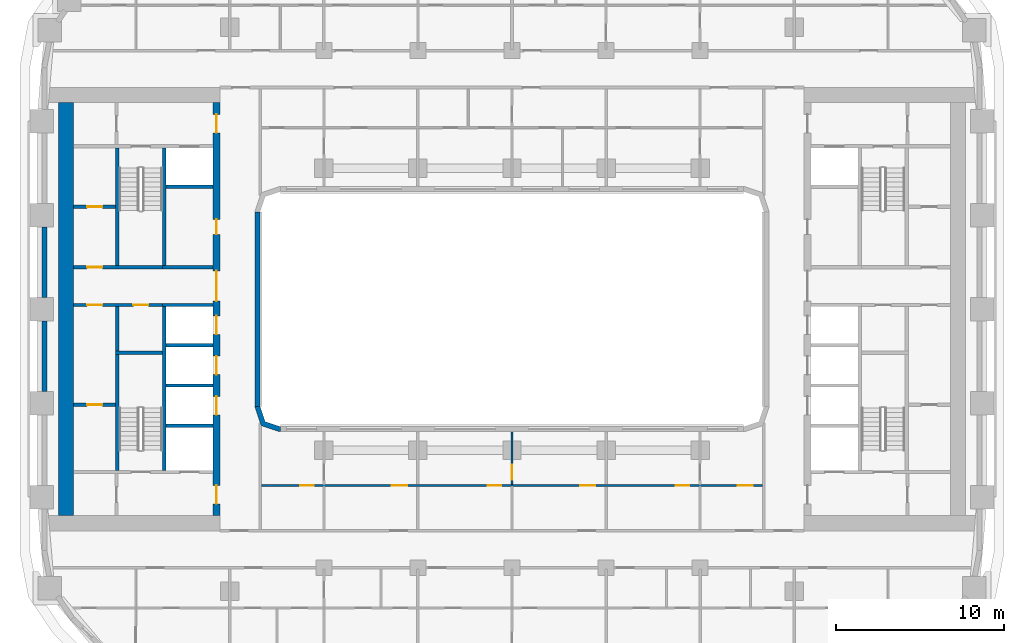
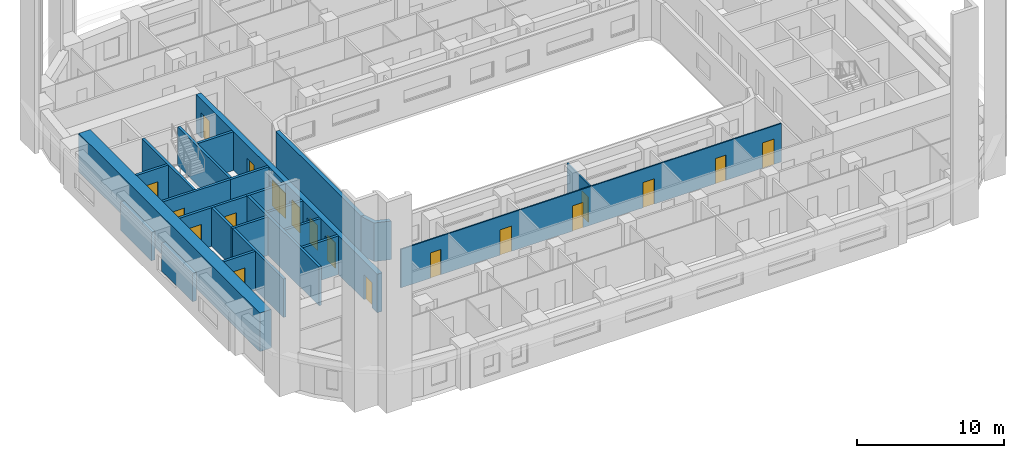
# One storey, part 4 of 22: 24 walls, 19 doors, 19 openings.
"""IFC4 building model written with IfcOpenShell, lengths in metres."""

from ifc_helpers import new_model, si_unit, direction, frame, frame_2d, origin, place, context, subcontext, project, spatial, polyline, rectangle, outline, extrude, material, layer, layer_set, type_object, element, fill, save


model = new_model("IFC4")

# Units and contexts
model_context = context("Model", 3, precision=1e-05, world=origin(), true_north=direction((0.0, 1.0)))
body_context = subcontext(model_context, "Body", "Model", "MODEL_VIEW")
ifc_project = project(units=[si_unit("LENGTHUNIT", "METRE"), si_unit("AREAUNIT", "SQUARE_METRE"), si_unit("VOLUMEUNIT", "CUBIC_METRE"), si_unit("PLANEANGLEUNIT", "RADIAN"), si_unit("MASSUNIT", "GRAM", prefix="KILO")], contexts=[model_context])

# Site, building, storey
site_placement = place(None, origin())
site = spatial("IfcSite", under=ifc_project, at=site_placement, CompositionType="ELEMENT")
building_placement = place(site_placement, origin())
building = spatial("IfcBuilding", under=site, at=building_placement, Name="Kiln Ring Residences", CompositionType="ELEMENT")
storey_placement = place(building_placement, frame((0.0, 0.0, 55.0)))
storey = spatial("IfcBuildingStorey", under=building, at=storey_placement, Name="L13", CompositionType="ELEMENT", Elevation=55.0)

# Wall
ifc_material_1 = material(Name="Gypsum board on steel studs", Category="steel")
ifc_layer_1 = layer(ifc_material_1, 0.199951171875)
ifc_layer_set_1 = layer_set([ifc_layer_1], Name="CORE-PARTITION-200")
wall_type_1 = type_object("IfcWallType", Name="CORE-PARTITION-200", PredefinedType="PARTITIONING", material=ifc_layer_set_1)
wall_1_placement = place(storey_placement, frame((-23.5, -2.5, 0.0), z_axis=(0.0, 0.0, 1.0), x_axis=(0.0, 1.0, 0.0)))
element("IfcWall", 1, at=wall_1_placement, inside=storey, type_object=wall_type_1, Name="Core partition west L13 1", PredefinedType="PARTITIONING", context=body_context, shape_type="SweptSolid", body=[
    extrude(rectangle(XDim=2.64990234375, YDim=0.199951171875, at=frame_2d((1.324951171875, 0.0))), origin(), (0.0, 0.0, 1.0), 3.199951171875),
])

# Wall, openings, doors
wall_2_placement = place(storey_placement, frame((-20.800048828125, 0.25, 0.0), z_axis=(0.0, 0.0, 1.0), x_axis=(-1.0, 0.0, 0.0)))
wall_2 = element("IfcWall", 2, at=wall_2_placement, inside=storey, type_object=wall_type_1, Name="Core partition west L13 2", PredefinedType="PARTITIONING", context=body_context, shape_type="SweptSolid", body=[
    extrude(rectangle(XDim=5.300048828125, YDim=0.199951171875, at=frame_2d((2.64990234375, 0.0))), origin(), (0.0, 0.0, 1.0), 3.199951171875),
])
opening_1_placement = place(wall_2_placement, frame((0.85009765625, 0.0, 0.0)))
opening_1 = element("IfcOpeningElement", 3, at=opening_1_placement, cuts=wall_2, Name="Opening L13-CW14", PredefinedType="OPENING", context=body_context, shape_type="SweptSolid", body=[
    extrude(rectangle(XDim=0.89990234375, YDim=2.10009765625, at=frame_2d((0.449951171875, 1.050048828125))), frame((0.0, 0.10986328125, 0.0), z_axis=(0.0, -1.0, 0.0), x_axis=(1.0, 0.0, 0.0)), (0.0, 0.0, 1.0), 0.219970703125),
])
opening_2_placement = place(wall_2_placement, frame((3.60009765625, 0.0, 0.0)))
opening_2 = element("IfcOpeningElement", 4, at=opening_2_placement, cuts=wall_2, Name="Opening L13-CW16", PredefinedType="OPENING", context=body_context, shape_type="SweptSolid", body=[
    extrude(rectangle(XDim=0.89990234375, YDim=2.10009765625, at=frame_2d((0.449951171875, 1.050048828125))), frame((0.0, 0.10986328125, 0.0), z_axis=(0.0, -1.0, 0.0), x_axis=(1.0, 0.0, 0.0)), (0.0, 0.0, 1.0), 0.219970703125),
])
ifc_material_2 = material(Name="Steel door leaf", Category="steel")
door_type_1 = type_object("IfcDoorType", Name="CORE-DOOR-ROOM", OperationType="SINGLE_SWING_LEFT", PredefinedType="DOOR", material=ifc_material_2)
door_1_placement = place(opening_1_placement, origin())
door_1 = element("IfcDoor", 5, at=door_1_placement, inside=storey, type_object=door_type_1, Name="Housekeeping store L13-CW14", OperationType="SINGLE_SWING_RIGHT", OverallHeight=2.10009765625, OverallWidth=0.89990234375, PredefinedType="DOOR", context=body_context, shape_type="SweptSolid", body=[
    extrude(rectangle(XDim=0.89990234375, YDim=2.10009765625, at=frame_2d((0.449951171875, 1.050048828125))), frame((0.0, 0.02490234375, 0.0), z_axis=(0.0, -1.0, 0.0), x_axis=(1.0, 0.0, 0.0)), (0.0, 0.0, 1.0), 0.050048828125),
])
fill(opening_1, door_1)
door_2_placement = place(opening_2_placement, origin())
door_2 = element("IfcDoor", 6, at=door_2_placement, inside=storey, type_object=door_type_1, Name="Battery room L13-CW16", OperationType="SINGLE_SWING_RIGHT", OverallHeight=2.10009765625, OverallWidth=0.89990234375, PredefinedType="DOOR", context=body_context, shape_type="SweptSolid", body=[
    extrude(rectangle(XDim=0.89990234375, YDim=2.10009765625, at=frame_2d((0.449951171875, 1.050048828125))), frame((0.0, 0.02490234375, 0.0), z_axis=(0.0, -1.0, 0.0), x_axis=(1.0, 0.0, 0.0)), (0.0, 0.0, 1.0), 0.050048828125),
])
fill(opening_2, door_2)

# Wall, opening, door
wall_3_placement = place(storey_placement, frame((-23.60009765625, -5.699951171875, 0.0), z_axis=(0.0, 0.0, 1.0), x_axis=(-1.0, 0.0, 0.0)))
wall_3 = element("IfcWall", 7, at=wall_3_placement, inside=storey, type_object=wall_type_1, Name="Core partition west L13 5", PredefinedType="PARTITIONING", context=body_context, shape_type="SweptSolid", body=[
    extrude(rectangle(XDim=2.5, YDim=0.199951171875, at=frame_2d((1.25, 0.0))), origin(), (0.0, 0.0, 1.0), 3.199951171875),
])
opening_3_placement = place(wall_3_placement, frame((0.800048828125, 0.0, 0.0)))
opening_3 = element("IfcOpeningElement", 8, at=opening_3_placement, cuts=wall_3, Name="Opening L13-CW15", PredefinedType="OPENING", context=body_context, shape_type="SweptSolid", body=[
    extrude(rectangle(XDim=0.89990234375, YDim=2.10009765625, at=frame_2d((0.449951171875, 1.050048828125))), frame((0.0, 0.10986328125, 0.0), z_axis=(0.0, -1.0, 0.0), x_axis=(1.0, 0.0, 0.0)), (0.0, 0.0, 1.0), 0.219970703125),
])
door_3_placement = place(opening_3_placement, origin())
door_3 = element("IfcDoor", 9, at=door_3_placement, inside=storey, type_object=door_type_1, Name="Battery room L13-CW15", OperationType="SINGLE_SWING_RIGHT", OverallHeight=2.10009765625, OverallWidth=0.89990234375, PredefinedType="DOOR", context=body_context, shape_type="SweptSolid", body=[
    extrude(rectangle(XDim=0.89990234375, YDim=2.10009765625, at=frame_2d((0.449951171875, 1.050048828125))), frame((0.0, 0.02490234375, 0.0), z_axis=(0.0, -1.0, 0.0), x_axis=(1.0, 0.0, 0.0)), (0.0, 0.0, 1.0), 0.050048828125),
])
fill(opening_3, door_3)

wall_4_placement = place(storey_placement, frame((-23.60009765625, 6.10009765625, 0.0), z_axis=(0.0, 0.0, 1.0), x_axis=(-1.0, 0.0, 0.0)))
wall_4 = element("IfcWall", 10, at=wall_4_placement, inside=storey, type_object=wall_type_1, Name="Core partition west L13 6", PredefinedType="PARTITIONING", context=body_context, shape_type="SweptSolid", body=[
    extrude(rectangle(XDim=2.5, YDim=0.199951171875, at=frame_2d((1.25, 0.0))), origin(), (0.0, 0.0, 1.0), 3.199951171875),
])
opening_4_placement = place(wall_4_placement, frame((0.800048828125, 0.0, 0.0)))
opening_4 = element("IfcOpeningElement", 11, at=opening_4_placement, cuts=wall_4, Name="Opening L13-CW17", PredefinedType="OPENING", context=body_context, shape_type="SweptSolid", body=[
    extrude(rectangle(XDim=0.89990234375, YDim=2.10009765625, at=frame_2d((0.449951171875, 1.050048828125))), frame((0.0, 0.10986328125, 0.0), z_axis=(0.0, -1.0, 0.0), x_axis=(1.0, 0.0, 0.0)), (0.0, 0.0, 1.0), 0.219970703125),
])
door_4_placement = place(opening_4_placement, origin())
door_4 = element("IfcDoor", 12, at=door_4_placement, inside=storey, type_object=door_type_1, Name="Electrical plant room L13-CW17", OperationType="SINGLE_SWING_RIGHT", OverallHeight=2.10009765625, OverallWidth=0.89990234375, PredefinedType="DOOR", context=body_context, shape_type="SweptSolid", body=[
    extrude(rectangle(XDim=0.89990234375, YDim=2.10009765625, at=frame_2d((0.449951171875, 1.050048828125))), frame((0.0, 0.02490234375, 0.0), z_axis=(0.0, -1.0, 0.0), x_axis=(1.0, 0.0, 0.0)), (0.0, 0.0, 1.0), 0.050048828125),
])
fill(opening_4, door_4)

# Walls
ifc_material_3 = material(Name="Gypsum shaft wall system")
ifc_layer_2 = layer(ifc_material_3, 0.199951171875)
ifc_layer_set_2 = layer_set([ifc_layer_2], Name="CORE-SHAFT-WALL-200")
wall_type_2 = type_object("IfcWallType", Name="CORE-SHAFT-WALL-200", PredefinedType="PARTITIONING", material=ifc_layer_set_2)
for number, where, z_axis, x_axis, name in (
    (13, (-17.800048828125, -6.949951171875, 0.0), (0.0, 0.0, 1.0), (-1.0, 0.0, 0.0), "Core partition west L13 7"),
    (14, (-17.800048828125, -4.550048828125, 0.0), (0.0, 0.0, 1.0), (-1.0, 0.0, 0.0), "Core partition west L13 8"),
    (15, (-17.800048828125, -2.14990234375, 0.0), (0.0, 0.0, 1.0), (-1.0, 0.0, 0.0), "Core partition west L13 9"),
):
    element("IfcWall", number, at=place(storey_placement, frame(where, z_axis=z_axis, x_axis=x_axis)), inside=storey, type_object=wall_type_2, Name=name, PredefinedType="PARTITIONING", context=body_context, shape_type="SweptSolid", body=[
        extrude(rectangle(XDim=2.800048828125, YDim=0.199951171875, at=frame_2d((1.39990234375, 0.0))), origin(), (0.0, 0.0, 1.0), 3.199951171875),
    ])
for number, where, z_axis, x_axis, name in (
    (16, (-17.800048828125, 0.25, 0.0), (0.0, 0.0, 1.0), (-1.0, 0.0, 0.0), "Core partition west L13 10"),
    (17, (-17.800048828125, 2.5, 0.0), (0.0, 0.0, 1.0), (-1.0, 0.0, 0.0), "Core partition west L13 11"),
):
    element("IfcWall", number, at=place(storey_placement, frame(where, z_axis=z_axis, x_axis=x_axis)), inside=storey, type_object=wall_type_2, Name=name, PredefinedType="PARTITIONING", context=body_context, shape_type="SweptSolid", body=[
        extrude(rectangle(XDim=3.0, YDim=0.199951171875, at=frame_2d((1.5, 0.0))), origin(), (0.0, 0.0, 1.0), 3.199951171875),
    ])
wall_5_placement = place(storey_placement, frame((-17.800048828125, 7.300048828125, 0.0), z_axis=(0.0, 0.0, 1.0), x_axis=(-1.0, 0.0, 0.0)))
element("IfcWall", 18, at=wall_5_placement, inside=storey, type_object=wall_type_2, Name="Core partition west L13 12", PredefinedType="PARTITIONING", context=body_context, shape_type="SweptSolid", body=[
    extrude(rectangle(XDim=2.800048828125, YDim=0.199951171875, at=frame_2d((1.39990234375, 0.0))), origin(), (0.0, 0.0, 1.0), 3.199951171875),
])
ifc_material_4 = material(Name="Concrete C40/50", Category="concrete")
ifc_layer_3 = layer(ifc_material_4, 0.199951171875)
ifc_layer_set_3 = layer_set([ifc_layer_3], Name="CORE-WALL-RC200")
wall_type_3 = type_object("IfcWallType", Name="CORE-WALL-RC200", PredefinedType="SHEAR", material=ifc_layer_set_3)
wall_6_placement = place(storey_placement, frame((-20.699951171875, 2.60009765625, 0.0), z_axis=(0.0, 0.0, 1.0), x_axis=(0.0, 1.0, 0.0)))
element("IfcWall", 19, at=wall_6_placement, inside=storey, type_object=wall_type_3, Name="Core wall west L13 1", PredefinedType="SHEAR", context=body_context, shape_type="SweptSolid", body=[
    extrude(rectangle(XDim=7.0, YDim=0.199951171875, at=frame_2d((3.5, 0.0))), origin(), (0.0, 0.0, 1.0), 3.199951171875),
])
wall_7_placement = place(storey_placement, frame((-20.699951171875, -9.60009765625, 0.0), z_axis=(0.0, 0.0, 1.0), x_axis=(0.0, 1.0, 0.0)))
element("IfcWall", 20, at=wall_7_placement, inside=storey, type_object=wall_type_3, Name="Core wall west L13 2", PredefinedType="SHEAR", context=body_context, shape_type="SweptSolid", body=[
    extrude(rectangle(XDim=9.75, YDim=0.199951171875, at=frame_2d((4.875, 0.0))), origin(), (0.0, 0.0, 1.0), 3.199951171875),
])

# Wall, opening, door
wall_8_placement = place(storey_placement, frame((-20.800048828125, 2.5, 0.0), z_axis=(0.0, 0.0, 1.0), x_axis=(-1.0, 0.0, 0.0)))
wall_8 = element("IfcWall", 21, at=wall_8_placement, inside=storey, type_object=wall_type_3, Name="Core wall west L13 3", PredefinedType="SHEAR", context=body_context, shape_type="SweptSolid", body=[
    extrude(rectangle(XDim=5.300048828125, YDim=0.199951171875, at=frame_2d((2.64990234375, 0.0))), origin(), (0.0, 0.0, 1.0), 3.199951171875),
])
opening_5_placement = place(wall_8_placement, frame((3.60009765625, 0.0, 0.0)))
opening_5 = element("IfcOpeningElement", 22, at=opening_5_placement, cuts=wall_8, Name="Opening L13-CW18", PredefinedType="OPENING", context=body_context, shape_type="SweptSolid", body=[
    extrude(rectangle(XDim=0.89990234375, YDim=2.10009765625, at=frame_2d((0.449951171875, 1.050048828125))), frame((0.0, 0.10986328125, 0.0), z_axis=(0.0, -1.0, 0.0), x_axis=(1.0, 0.0, 0.0)), (0.0, 0.0, 1.0), 0.219970703125),
])
door_5_placement = place(opening_5_placement, origin())
door_5 = element("IfcDoor", 23, at=door_5_placement, inside=storey, type_object=door_type_1, Name="Comms room L13-CW18", OperationType="SINGLE_SWING_LEFT", OverallHeight=2.10009765625, OverallWidth=0.89990234375, PredefinedType="DOOR", context=body_context, shape_type="SweptSolid", body=[
    extrude(rectangle(XDim=0.89990234375, YDim=2.10009765625, at=frame_2d((0.449951171875, 1.050048828125))), frame((0.0, 0.02490234375, 0.0), z_axis=(0.0, -1.0, 0.0), x_axis=(1.0, 0.0, 0.0)), (0.0, 0.0, 1.0), 0.050048828125),
])
fill(opening_5, door_5)

# Walls
wall_9_placement = place(storey_placement, frame((-23.5, 2.60009765625, 0.0), z_axis=(0.0, 0.0, 1.0), x_axis=(0.0, 1.0, 0.0)))
element("IfcWall", 24, at=wall_9_placement, inside=storey, type_object=wall_type_3, Name="Core wall west L13 10", PredefinedType="SHEAR", context=body_context, shape_type="SweptSolid", body=[
    extrude(rectangle(XDim=7.0, YDim=0.199951171875, at=frame_2d((3.5, 0.0))), origin(), (0.0, 0.0, 1.0), 3.199951171875),
])
wall_10_placement = place(storey_placement, frame((-23.5, -9.60009765625, 0.0), z_axis=(0.0, 0.0, 1.0), x_axis=(0.0, 1.0, 0.0)))
element("IfcWall", 25, at=wall_10_placement, inside=storey, type_object=wall_type_3, Name="Core wall west L13 11", PredefinedType="SHEAR", context=body_context, shape_type="SweptSolid", body=[
    extrude(rectangle(XDim=6.900146484375, YDim=0.199951171875, at=frame_2d((3.4501953125, 0.0))), origin(), (0.0, 0.0, 1.0), 3.199951171875),
])
wall_11_placement = place(storey_placement, frame((-20.800048828125, -2.60009765625, 0.0), z_axis=(0.0, 0.0, 1.0), x_axis=(-1.0, 0.0, 0.0)))
element("IfcWall", 26, at=wall_11_placement, inside=storey, type_object=wall_type_3, Name="Core wall west L13 12", PredefinedType="SHEAR", context=body_context, shape_type="SweptSolid", body=[
    extrude(rectangle(XDim=2.800048828125, YDim=0.199951171875, at=frame_2d((1.39990234375, 0.0))), origin(), (0.0, 0.0, 1.0), 3.199951171875),
])

# Wall, openings, doors
ifc_material_5 = material(Name="Concrete C60/75", Category="concrete")
ifc_layer_4 = layer(ifc_material_5, 0.39990234375)
ifc_layer_set_4 = layer_set([ifc_layer_4], Name="CORE-WALL-RC400")
wall_type_4 = type_object("IfcWallType", Name="CORE-WALL-RC400", PredefinedType="SHEAR", material=ifc_layer_set_4)
wall_12_placement = place(storey_placement, frame((-17.60009765625, -12.300048828125, 0.0), z_axis=(0.0, 0.0, 1.0), x_axis=(0.0, 1.0, 0.0)))
wall_12 = element("IfcWall", 27, at=wall_12_placement, inside=storey, type_object=wall_type_4, Name="Core wall west L13 6", PredefinedType="SHEAR", context=body_context, shape_type="SweptSolid", body=[
    extrude(rectangle(XDim=24.60009765625, YDim=0.39990234375, at=frame_2d((12.300048828125, 0.0))), origin(), (0.0, 0.0, 1.0), 3.199951171875),
])
opening_6_placement = place(wall_12_placement, frame((6.0, 0.0, 0.0)))
opening_6 = element("IfcOpeningElement", 28, at=opening_6_placement, cuts=wall_12, Name="Opening L13-CW02", PredefinedType="OPENING", context=body_context, shape_type="SweptSolid", body=[
    extrude(rectangle(XDim=1.10009765625, YDim=2.10009765625, at=frame_2d((0.550048828125, 1.050048828125))), frame((0.0, 0.2099609375, 0.0), z_axis=(0.0, -1.0, 0.0), x_axis=(1.0, 0.0, 0.0)), (0.0, 0.0, 1.0), 0.419921875),
])
opening_7_placement = place(wall_12_placement, frame((8.39990234375, 0.0, 0.0)))
opening_7 = element("IfcOpeningElement", 29, at=opening_7_placement, cuts=wall_12, Name="Opening L13-CW03", PredefinedType="OPENING", context=body_context, shape_type="SweptSolid", body=[
    extrude(rectangle(XDim=1.10009765625, YDim=2.10009765625, at=frame_2d((0.550048828125, 1.050048828125))), frame((0.0, 0.2099609375, 0.0), z_axis=(0.0, -1.0, 0.0), x_axis=(1.0, 0.0, 0.0)), (0.0, 0.0, 1.0), 0.419921875),
])
opening_8_placement = place(wall_12_placement, frame((10.800048828125, 0.0, 0.0)))
opening_8 = element("IfcOpeningElement", 30, at=opening_8_placement, cuts=wall_12, Name="Opening L13-CW04", PredefinedType="OPENING", context=body_context, shape_type="SweptSolid", body=[
    extrude(rectangle(XDim=1.10009765625, YDim=2.10009765625, at=frame_2d((0.550048828125, 1.050048828125))), frame((0.0, 0.2099609375, 0.0), z_axis=(0.0, -1.0, 0.0), x_axis=(1.0, 0.0, 0.0)), (0.0, 0.0, 1.0), 0.419921875),
])
opening_9_placement = place(wall_12_placement, frame((16.75, 0.0, 0.0)))
opening_9 = element("IfcOpeningElement", 31, at=opening_9_placement, cuts=wall_12, Name="Opening L13-CW05", PredefinedType="OPENING", context=body_context, shape_type="SweptSolid", body=[
    extrude(rectangle(XDim=0.89990234375, YDim=2.10009765625, at=frame_2d((0.449951171875, 1.050048828125))), frame((0.0, 0.2099609375, 0.0), z_axis=(0.0, -1.0, 0.0), x_axis=(1.0, 0.0, 0.0)), (0.0, 0.0, 1.0), 0.419921875),
])
opening_10_placement = place(wall_12_placement, frame((22.800048828125, 0.0, 0.0)))
opening_10 = element("IfcOpeningElement", 32, at=opening_10_placement, cuts=wall_12, Name="Opening L13-CW07", PredefinedType="OPENING", context=body_context, shape_type="SweptSolid", body=[
    extrude(rectangle(XDim=1.10009765625, YDim=2.10009765625, at=frame_2d((0.550048828125, 1.050048828125))), frame((0.0, 0.2099609375, 0.0), z_axis=(0.0, -1.0, 0.0), x_axis=(1.0, 0.0, 0.0)), (0.0, 0.0, 1.0), 0.419921875),
])
opening_11_placement = place(wall_12_placement, frame((0.699951171875, 0.0, 0.0)))
opening_11 = element("IfcOpeningElement", 33, at=opening_11_placement, cuts=wall_12, Name="Opening L13-CW08", PredefinedType="OPENING", context=body_context, shape_type="SweptSolid", body=[
    extrude(rectangle(XDim=1.10009765625, YDim=2.10009765625, at=frame_2d((0.550048828125, 1.050048828125))), frame((0.0, 0.2099609375, 0.0), z_axis=(0.0, -1.0, 0.0), x_axis=(1.0, 0.0, 0.0)), (0.0, 0.0, 1.0), 0.419921875),
])
opening_12_placement = place(wall_12_placement, frame((12.77490234375, 0.0, 0.0)))
opening_12 = element("IfcOpeningElement", 34, at=opening_12_placement, cuts=wall_12, Name="Opening L13-CW13", PredefinedType="OPENING", context=body_context, shape_type="SweptSolid", body=[
    extrude(rectangle(XDim=1.800048828125, YDim=2.10009765625, at=frame_2d((0.89990234375, 1.050048828125))), frame((0.0, 0.2099609375, 0.0), z_axis=(0.0, -1.0, 0.0), x_axis=(1.0, 0.0, 0.0)), (0.0, 0.0, 1.0), 0.419921875),
])
ifc_material_6 = material(Name="Steel door leaf", Category="steel")
door_type_2 = type_object("IfcDoorType", Name="CORE-DOOR-LD", OperationType="DOUBLE_DOOR_SLIDING", PredefinedType="DOOR", material=ifc_material_6)
door_6_placement = place(opening_6_placement, origin())
door_6 = element("IfcDoor", 35, at=door_6_placement, inside=storey, type_object=door_type_2, Name="LD W-L1 L13-CW02", OperationType="DOUBLE_DOOR_SLIDING", OverallHeight=2.10009765625, OverallWidth=1.10009765625, PredefinedType="DOOR", context=body_context, shape_type="SweptSolid", body=[
    extrude(rectangle(XDim=1.10009765625, YDim=2.10009765625, at=frame_2d((0.550048828125, 1.050048828125))), frame((0.0, 0.02490234375, 0.0), z_axis=(0.0, -1.0, 0.0), x_axis=(1.0, 0.0, 0.0)), (0.0, 0.0, 1.0), 0.050048828125),
])
fill(opening_6, door_6)
door_7_placement = place(opening_7_placement, origin())
door_7 = element("IfcDoor", 36, at=door_7_placement, inside=storey, type_object=door_type_2, Name="LD W-L2 L13-CW03", OperationType="DOUBLE_DOOR_SLIDING", OverallHeight=2.10009765625, OverallWidth=1.10009765625, PredefinedType="DOOR", context=body_context, shape_type="SweptSolid", body=[
    extrude(rectangle(XDim=1.10009765625, YDim=2.10009765625, at=frame_2d((0.550048828125, 1.050048828125))), frame((0.0, 0.02490234375, 0.0), z_axis=(0.0, -1.0, 0.0), x_axis=(1.0, 0.0, 0.0)), (0.0, 0.0, 1.0), 0.050048828125),
])
fill(opening_7, door_7)
door_8_placement = place(opening_8_placement, origin())
door_8 = element("IfcDoor", 37, at=door_8_placement, inside=storey, type_object=door_type_2, Name="LD W-L3 L13-CW04", OperationType="DOUBLE_DOOR_SLIDING", OverallHeight=2.10009765625, OverallWidth=1.10009765625, PredefinedType="DOOR", context=body_context, shape_type="SweptSolid", body=[
    extrude(rectangle(XDim=1.10009765625, YDim=2.10009765625, at=frame_2d((0.550048828125, 1.050048828125))), frame((0.0, 0.02490234375, 0.0), z_axis=(0.0, -1.0, 0.0), x_axis=(1.0, 0.0, 0.0)), (0.0, 0.0, 1.0), 0.050048828125),
])
fill(opening_8, door_8)
ifc_material_7 = material(Name="Steel door leaf", Category="steel")
door_type_3 = type_object("IfcDoorType", Name="CORE-DOOR-LOBBY", OperationType="SINGLE_SWING_LEFT", PredefinedType="DOOR", material=ifc_material_7)
door_9_placement = place(opening_10_placement, origin())
door_9 = element("IfcDoor", 38, at=door_9_placement, inside=storey, type_object=door_type_3, Name="FFL L13-CW07", OperationType="SINGLE_SWING_RIGHT", OverallHeight=2.10009765625, OverallWidth=1.10009765625, PredefinedType="DOOR", context=body_context, shape_type="SweptSolid", body=[
    extrude(rectangle(XDim=1.10009765625, YDim=2.10009765625, at=frame_2d((0.550048828125, 1.050048828125))), frame((0.0, 0.02490234375, 0.0), z_axis=(0.0, -1.0, 0.0), x_axis=(1.0, 0.0, 0.0)), (0.0, 0.0, 1.0), 0.050048828125),
])
fill(opening_10, door_9)
door_10_placement = place(opening_11_placement, origin())
door_10 = element("IfcDoor", 39, at=door_10_placement, inside=storey, type_object=door_type_3, Name="SVL L13-CW08", OperationType="SINGLE_SWING_LEFT", OverallHeight=2.10009765625, OverallWidth=1.10009765625, PredefinedType="DOOR", context=body_context, shape_type="SweptSolid", body=[
    extrude(rectangle(XDim=1.10009765625, YDim=2.10009765625, at=frame_2d((0.550048828125, 1.050048828125))), frame((0.0, 0.02490234375, 0.0), z_axis=(0.0, -1.0, 0.0), x_axis=(1.0, 0.0, 0.0)), (0.0, 0.0, 1.0), 0.050048828125),
])
fill(opening_11, door_10)
ifc_material_8 = material(Name="Steel door leaf", Category="steel")
door_type_4 = type_object("IfcDoorType", Name="CORE-DOOR-PASS", OperationType="DOUBLE_DOOR_SINGLE_SWING", PredefinedType="DOOR", material=ifc_material_8)
door_11_placement = place(opening_12_placement, origin())
door_11 = element("IfcDoor", 40, at=door_11_placement, inside=storey, type_object=door_type_4, Name="Core passage L13-CW13", OperationType="DOUBLE_DOOR_SINGLE_SWING", OverallHeight=2.10009765625, OverallWidth=1.800048828125, PredefinedType="DOOR", context=body_context, shape_type="SweptSolid", body=[
    extrude(rectangle(XDim=1.800048828125, YDim=2.10009765625, at=frame_2d((0.89990234375, 1.050048828125))), frame((0.0, 0.02490234375, 0.0), z_axis=(0.0, -1.0, 0.0), x_axis=(1.0, 0.0, 0.0)), (0.0, 0.0, 1.0), 0.050048828125),
])
fill(opening_12, door_11)
door_12_placement = place(opening_9_placement, origin())
door_12 = element("IfcDoor", 41, at=door_12_placement, inside=storey, type_object=door_type_1, Name="Locker store L13-CW05", OperationType="SINGLE_SWING_LEFT", OverallHeight=2.10009765625, OverallWidth=0.89990234375, PredefinedType="DOOR", context=body_context, shape_type="SweptSolid", body=[
    extrude(rectangle(XDim=0.89990234375, YDim=2.10009765625, at=frame_2d((0.449951171875, 1.050048828125))), frame((0.0, 0.02490234375, 0.0), z_axis=(0.0, -1.0, 0.0), x_axis=(1.0, 0.0, 0.0)), (0.0, 0.0, 1.0), 0.050048828125),
])
fill(opening_9, door_12)

# Walls
ifc_material_9 = material(Name="Concrete C60/75", Category="concrete")
ifc_layer_5 = layer(ifc_material_9, 0.89990234375)
ifc_layer_set_5 = layer_set([ifc_layer_5], Name="CORE-WALL-RC900")
wall_type_5 = type_object("IfcWallType", Name="CORE-WALL-RC900", PredefinedType="SHEAR", material=ifc_layer_set_5)
wall_13_placement = place(storey_placement, frame((-26.550048828125, -12.300048828125, 0.0), z_axis=(0.0, 0.0, 1.0), x_axis=(0.0, 1.0, 0.0)))
element("IfcWall", 42, at=wall_13_placement, inside=storey, type_object=wall_type_5, Name="Core wall west L13 7", PredefinedType="SHEAR", context=body_context, shape_type="SweptSolid", body=[
    extrude(rectangle(XDim=24.60009765625, YDim=0.89990234375, at=frame_2d((12.300048828125, 0.0))), origin(), (0.0, 0.0, 1.0), 3.199951171875),
])
ifc_material_10 = material(Name="Brick masonry, dark clay brick", Category="masonry")
ifc_layer_6 = layer(ifc_material_10, 0.300048828125)
ifc_layer_set_6 = layer_set([ifc_layer_6], Name="EW-300 BRICK WALL")
wall_type_6 = type_object("IfcWallType", Name="EW-300 BRICK WALL", PredefinedType="SOLIDWALL", material=ifc_layer_set_6)
for number, where, z_axis, x_axis, name in (
    (43, (-27.85009765625, 4.89990234375, 0.0), (0.0, 0.0, 1.0), (0.0, -1.0, 0.0), "Facade wall L13 43"),
    (44, (-27.85009765625, -0.699951171875, 0.0), (0.0, 0.0, 1.0), (0.0, -1.0, 0.0), "Facade wall L13 44"),
):
    element("IfcWall", number, at=place(storey_placement, frame(where, z_axis=z_axis, x_axis=x_axis)), inside=storey, type_object=wall_type_6, Name=name, PredefinedType="SOLIDWALL", context=body_context, shape_type="SweptSolid", body=[
        extrude(rectangle(XDim=4.199951171875, YDim=0.300048828125, at=frame_2d((2.10009765625, 0.0))), origin(), (0.0, 0.0, 1.0), 2.35009765625),
    ])
wall_14_placement = place(storey_placement, frame((-15.14990234375, -5.800048828125, 0.0), z_axis=(0.0, 0.0, 1.0), x_axis=(0.0, 1.0, 0.0)))
element("IfcWall", 45, at=wall_14_placement, inside=storey, type_object=wall_type_6, Name="Facade wall L13 49", PredefinedType="SOLIDWALL", context=body_context, shape_type="SweptSolid", body=[
    extrude(rectangle(XDim=11.60009765625, YDim=0.300048828125, at=frame_2d((5.800048828125, 0.0))), origin(), (0.0, 0.0, 1.0), 3.199951171875),
])
wall_15_placement = place(storey_placement, origin())
element("IfcWall", 46, at=wall_15_placement, inside=storey, type_object=wall_type_6, Name="Corner wall L13 4", PredefinedType="SOLIDWALL", context=body_context, shape_type="SweptSolid", body=[
    extrude(outline(polyline([(-14.937255859375, -6.937255859375), (-13.8486328125, -7.300048828125), (-13.800048828125, -7.300048828125), (-13.800048828125, -7.0), (-14.699951171875, -6.699951171875), (-15.0, -5.800048828125), (-15.300048828125, -5.800048828125), (-15.300048828125, -5.8486328125), (-14.937255859375, -6.937255859375)])), origin(), (0.0, 0.0, 1.0), 3.199951171875),
])

# Wall, openings, doors
ifc_material_11 = material(Name="Gypsum board on steel studs", Category="steel")
ifc_layer_7 = layer(ifc_material_11, 0.10009765625)
ifc_layer_set_7 = layer_set([ifc_layer_7], Name="PARTITION-100")
wall_type_7 = type_object("IfcWallType", Name="PARTITION-100", PredefinedType="PARTITIONING", material=ifc_layer_set_7)
wall_16_placement = place(storey_placement, frame((-14.925048828125, -10.5, 0.0), z_axis=(0.0, 0.0, 1.0), x_axis=(1.0, 0.0, 0.0)))
wall_16 = element("IfcWall", 47, at=wall_16_placement, inside=storey, type_object=wall_type_7, Name="Partition 003", PredefinedType="PARTITIONING", context=body_context, shape_type="SweptSolid", body=[
    extrude(rectangle(XDim=29.85009765625, YDim=0.10009765625, at=frame_2d((14.925048828125, 0.0))), origin(), (0.0, 0.0, 1.0), 3.199951171875),
])
opening_13_placement = place(wall_16_placement, frame((2.324951171875, 0.0, 0.0)))
opening_13 = element("IfcOpeningElement", 48, at=opening_13_placement, cuts=wall_16, Name="Opening L13-D042", PredefinedType="OPENING", context=body_context, shape_type="SweptSolid", body=[
    extrude(rectangle(XDim=0.800048828125, YDim=2.10009765625, at=frame_2d((0.39990234375, 1.050048828125))), frame((0.0, 0.06005859375, 0.0), z_axis=(0.0, -1.0, 0.0), x_axis=(1.0, 0.0, 0.0)), (0.0, 0.0, 1.0), 0.1201171875),
])
opening_14_placement = place(wall_16_placement, frame((7.77490234375, 0.0, 0.0)))
opening_14 = element("IfcOpeningElement", 49, at=opening_14_placement, cuts=wall_16, Name="Opening L13-D043", PredefinedType="OPENING", context=body_context, shape_type="SweptSolid", body=[
    extrude(rectangle(XDim=0.89990234375, YDim=2.10009765625, at=frame_2d((0.449951171875, 1.050048828125))), frame((0.0, 0.06005859375, 0.0), z_axis=(0.0, -1.0, 0.0), x_axis=(1.0, 0.0, 0.0)), (0.0, 0.0, 1.0), 0.1201171875),
])
opening_15_placement = place(wall_16_placement, frame((13.47509765625, 0.0, 0.0)))
opening_15 = element("IfcOpeningElement", 50, at=opening_15_placement, cuts=wall_16, Name="Opening L13-D046", PredefinedType="OPENING", context=body_context, shape_type="SweptSolid", body=[
    extrude(rectangle(XDim=0.800048828125, YDim=2.10009765625, at=frame_2d((0.39990234375, 1.050048828125))), frame((0.0, 0.06005859375, 0.0), z_axis=(0.0, -1.0, 0.0), x_axis=(1.0, 0.0, 0.0)), (0.0, 0.0, 1.0), 0.1201171875),
])
opening_16_placement = place(wall_16_placement, frame((18.97509765625, 0.0, 0.0)))
opening_16 = element("IfcOpeningElement", 51, at=opening_16_placement, cuts=wall_16, Name="Opening L13-D047", PredefinedType="OPENING", context=body_context, shape_type="SweptSolid", body=[
    extrude(rectangle(XDim=0.89990234375, YDim=2.10009765625, at=frame_2d((0.449951171875, 1.050048828125))), frame((0.0, 0.06005859375, 0.0), z_axis=(0.0, -1.0, 0.0), x_axis=(1.0, 0.0, 0.0)), (0.0, 0.0, 1.0), 0.1201171875),
])
opening_17_placement = place(wall_16_placement, frame((24.675048828125, 0.0, 0.0)))
opening_17 = element("IfcOpeningElement", 52, at=opening_17_placement, cuts=wall_16, Name="Opening L13-D050", PredefinedType="OPENING", context=body_context, shape_type="SweptSolid", body=[
    extrude(rectangle(XDim=0.800048828125, YDim=2.10009765625, at=frame_2d((0.39990234375, 1.050048828125))), frame((0.0, 0.06005859375, 0.0), z_axis=(0.0, -1.0, 0.0), x_axis=(1.0, 0.0, 0.0)), (0.0, 0.0, 1.0), 0.1201171875),
])
opening_18_placement = place(wall_16_placement, frame((28.375, 0.0, 0.0)))
opening_18 = element("IfcOpeningElement", 53, at=opening_18_placement, cuts=wall_16, Name="Opening L13-D051", PredefinedType="OPENING", context=body_context, shape_type="SweptSolid", body=[
    extrude(rectangle(XDim=0.89990234375, YDim=2.10009765625, at=frame_2d((0.449951171875, 1.050048828125))), frame((0.0, 0.06005859375, 0.0), z_axis=(0.0, -1.0, 0.0), x_axis=(1.0, 0.0, 0.0)), (0.0, 0.0, 1.0), 0.1201171875),
])
ifc_material_12 = material(Name="Timber door leaf", Category="wood")
door_type_5 = type_object("IfcDoorType", Name="FLAT-DOOR-800-PL", OperationType="SINGLE_SWING_LEFT", PredefinedType="DOOR", material=ifc_material_12)
door_13_placement = place(opening_13_placement, origin())
door_13 = element("IfcDoor", 54, at=door_13_placement, inside=storey, type_object=door_type_5, Name="Door L13-D042", OperationType="SINGLE_SWING_RIGHT", OverallHeight=2.10009765625, OverallWidth=0.800048828125, PredefinedType="DOOR", context=body_context, shape_type="SweptSolid", body=[
    extrude(rectangle(XDim=0.800048828125, YDim=2.10009765625, at=frame_2d((0.39990234375, 1.050048828125))), frame((0.0, 0.02490234375, 0.0), z_axis=(0.0, -1.0, 0.0), x_axis=(1.0, 0.0, 0.0)), (0.0, 0.0, 1.0), 0.050048828125),
])
fill(opening_13, door_13)
door_14_placement = place(opening_15_placement, origin())
door_14 = element("IfcDoor", 55, at=door_14_placement, inside=storey, type_object=door_type_5, Name="Door L13-D046", OperationType="SINGLE_SWING_RIGHT", OverallHeight=2.10009765625, OverallWidth=0.800048828125, PredefinedType="DOOR", context=body_context, shape_type="SweptSolid", body=[
    extrude(rectangle(XDim=0.800048828125, YDim=2.10009765625, at=frame_2d((0.39990234375, 1.050048828125))), frame((0.0, 0.02490234375, 0.0), z_axis=(0.0, -1.0, 0.0), x_axis=(1.0, 0.0, 0.0)), (0.0, 0.0, 1.0), 0.050048828125),
])
fill(opening_15, door_14)
door_15_placement = place(opening_17_placement, origin())
door_15 = element("IfcDoor", 56, at=door_15_placement, inside=storey, type_object=door_type_5, Name="Door L13-D050", OperationType="SINGLE_SWING_RIGHT", OverallHeight=2.10009765625, OverallWidth=0.800048828125, PredefinedType="DOOR", context=body_context, shape_type="SweptSolid", body=[
    extrude(rectangle(XDim=0.800048828125, YDim=2.10009765625, at=frame_2d((0.39990234375, 1.050048828125))), frame((0.0, 0.02490234375, 0.0), z_axis=(0.0, -1.0, 0.0), x_axis=(1.0, 0.0, 0.0)), (0.0, 0.0, 1.0), 0.050048828125),
])
fill(opening_17, door_15)
ifc_material_13 = material(Name="Timber door leaf", Category="wood")
door_type_6 = type_object("IfcDoorType", Name="FLAT-DOOR-900-PL", OperationType="SINGLE_SWING_LEFT", PredefinedType="DOOR", material=ifc_material_13)
door_16_placement = place(opening_14_placement, origin())
door_16 = element("IfcDoor", 57, at=door_16_placement, inside=storey, type_object=door_type_6, Name="Door L13-D043", OperationType="SINGLE_SWING_LEFT", OverallHeight=2.10009765625, OverallWidth=0.89990234375, PredefinedType="DOOR", context=body_context, shape_type="SweptSolid", body=[
    extrude(rectangle(XDim=0.89990234375, YDim=2.10009765625, at=frame_2d((0.449951171875, 1.050048828125))), frame((0.0, 0.02490234375, 0.0), z_axis=(0.0, -1.0, 0.0), x_axis=(1.0, 0.0, 0.0)), (0.0, 0.0, 1.0), 0.050048828125),
])
fill(opening_14, door_16)
door_17_placement = place(opening_16_placement, origin())
door_17 = element("IfcDoor", 58, at=door_17_placement, inside=storey, type_object=door_type_6, Name="Door L13-D047", OperationType="SINGLE_SWING_LEFT", OverallHeight=2.10009765625, OverallWidth=0.89990234375, PredefinedType="DOOR", context=body_context, shape_type="SweptSolid", body=[
    extrude(rectangle(XDim=0.89990234375, YDim=2.10009765625, at=frame_2d((0.449951171875, 1.050048828125))), frame((0.0, 0.02490234375, 0.0), z_axis=(0.0, -1.0, 0.0), x_axis=(1.0, 0.0, 0.0)), (0.0, 0.0, 1.0), 0.050048828125),
])
fill(opening_16, door_17)
door_18_placement = place(opening_18_placement, origin())
door_18 = element("IfcDoor", 59, at=door_18_placement, inside=storey, type_object=door_type_6, Name="Door L13-D051", OperationType="SINGLE_SWING_LEFT", OverallHeight=2.10009765625, OverallWidth=0.89990234375, PredefinedType="DOOR", context=body_context, shape_type="SweptSolid", body=[
    extrude(rectangle(XDim=0.89990234375, YDim=2.10009765625, at=frame_2d((0.449951171875, 1.050048828125))), frame((0.0, 0.02490234375, 0.0), z_axis=(0.0, -1.0, 0.0), x_axis=(1.0, 0.0, 0.0)), (0.0, 0.0, 1.0), 0.050048828125),
])
fill(opening_18, door_18)

# Wall, opening, door
wall_17_placement = place(storey_placement, frame((0.0, -10.449951171875, 0.0), z_axis=(0.0, 0.0, 1.0), x_axis=(0.0, 1.0, 0.0)))
wall_17 = element("IfcWall", 60, at=wall_17_placement, inside=storey, type_object=wall_type_7, Name="Partition 041", PredefinedType="PARTITIONING", context=body_context, shape_type="SweptSolid", body=[
    extrude(rectangle(XDim=3.1298828125, YDim=0.10009765625, at=frame_2d((1.56494140625, 0.0))), origin(), (0.0, 0.0, 1.0), 3.199951171875),
])
opening_19_placement = place(wall_17_placement, frame((0.280029296875, 0.0, 0.0)))
opening_19 = element("IfcOpeningElement", 61, at=opening_19_placement, cuts=wall_17, Name="Opening L13-D048", PredefinedType="OPENING", context=body_context, shape_type="SweptSolid", body=[
    extrude(rectangle(XDim=0.89990234375, YDim=2.10009765625, at=frame_2d((0.449951171875, 1.050048828125))), frame((0.0, 0.06005859375, 0.0), z_axis=(0.0, -1.0, 0.0), x_axis=(1.0, 0.0, 0.0)), (0.0, 0.0, 1.0), 0.1201171875),
])
door_19_placement = place(opening_19_placement, origin())
door_19 = element("IfcDoor", 62, at=door_19_placement, inside=storey, type_object=door_type_6, Name="Door L13-D048", OperationType="SINGLE_SWING_RIGHT", OverallHeight=2.10009765625, OverallWidth=0.89990234375, PredefinedType="DOOR", context=body_context, shape_type="SweptSolid", body=[
    extrude(rectangle(XDim=0.89990234375, YDim=2.10009765625, at=frame_2d((0.449951171875, 1.050048828125))), frame((0.0, 0.02490234375, 0.0), z_axis=(0.0, -1.0, 0.0), x_axis=(1.0, 0.0, 0.0)), (0.0, 0.0, 1.0), 0.050048828125),
])
fill(opening_19, door_19)

save(model, "model.ifc")
